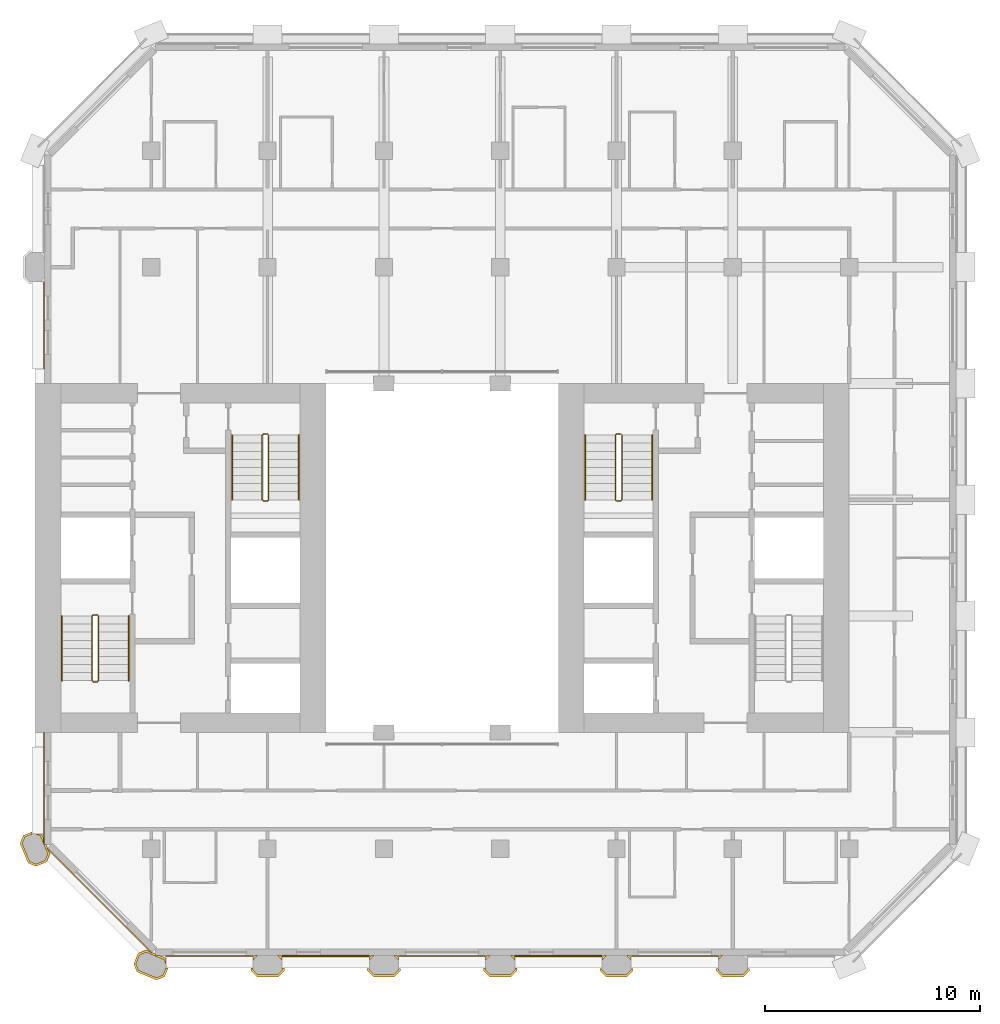
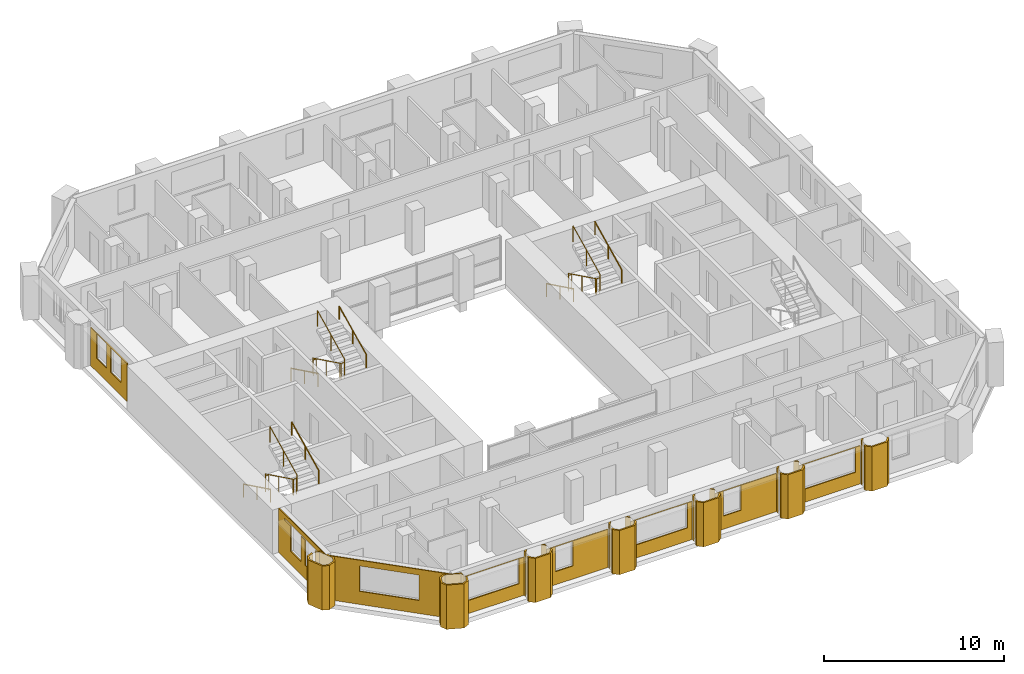
# One storey, part 10 of 12: 24 coverings, 9 railings.
"""IFC4 building model written with IfcOpenShell, lengths in metres."""

from ifc_helpers import new_model, si_unit, direction, frame, origin, origin_2d, place, context, subcontext, project, spatial, polyline, circle, outline, extrude, material, layer, layer_set, type_object, element, save


model = new_model("IFC4")

# Units and contexts
model_context = context("Model", 3, precision=1e-05, world=origin(), true_north=direction((0.0, 1.0)))
body_context = subcontext(model_context, "Body", "Model", "MODEL_VIEW")
ifc_project = project(units=[si_unit("LENGTHUNIT", "METRE"), si_unit("AREAUNIT", "SQUARE_METRE"), si_unit("VOLUMEUNIT", "CUBIC_METRE"), si_unit("PLANEANGLEUNIT", "RADIAN"), si_unit("MASSUNIT", "GRAM", prefix="KILO")], contexts=[model_context])

# Site, building, storey
site_placement = place(None, origin())
site = spatial("IfcSite", under=ifc_project, at=site_placement, CompositionType="ELEMENT")
building_placement = place(site_placement, origin())
building = spatial("IfcBuilding", under=site, at=building_placement, Name="Tabaq Tower and Sports Hall", CompositionType="ELEMENT")
storey_placement = place(building_placement, frame((0.0, 0.0, 193.89990234375)))
storey = spatial("IfcBuildingStorey", under=building, at=storey_placement, Name="L47", CompositionType="ELEMENT", Elevation=193.89990234375)

# Coverings
ifc_material_1 = material(Name="Precast concrete C60/75", Category="concrete")
ifc_layer_1 = layer(ifc_material_1, 0.10009765625)
ifc_layer_set_1 = layer_set([ifc_layer_1], Name="Column cladding 100")
covering_type_1 = type_object("IfcCoveringType", Name="Column cladding 100", PredefinedType="CLADDING", material=ifc_layer_set_1)
covering_1_placement = place(storey_placement, origin())
element("IfcCovering", 1, at=covering_1_placement, inside=storey, type_object=covering_type_1, Name="Column cladding L47 PC-2C-H2", PredefinedType="CLADDING", context=body_context, shape_type="SweptSolid", body=[
    extrude(outline(polyline([(5.450439453125, 9.982421875), (5.080078125, 10.1357421875), (4.7041015625, 11.04345703125), (4.857421875, 11.413818359375), (5.249755859375, 11.576171875), (5.249755859375, 11.474609375), (5.26416015625, 11.474609375), (4.93359375, 11.337646484375), (4.811767578125, 11.04345703125), (5.15625, 10.2119140625), (5.450439453125, 10.08984375), (5.866455078125, 10.26220703125), (5.98828125, 10.556396484375), (5.643798828125, 11.38818359375), (5.434814453125, 11.474609375), (5.694580078125, 11.474609375), (5.7197265625, 11.46435546875), (5.789794921875, 11.295654296875), (5.789794921875, 11.04296875), (5.849609375, 11.04296875), (5.849609375, 10.986083984375), (5.91796875, 10.986083984375), (5.9814453125, 10.83251953125), (5.9501953125, 10.801025390625), (6.026123046875, 10.72509765625), (6.095947265625, 10.556396484375), (5.9423828125, 10.186279296875), (5.450439453125, 9.982421875)])), origin(), (0.0, 0.0, 1.0), 3.0),
])
covering_2_placement = place(storey_placement, origin())
element("IfcCovering", 2, at=covering_2_placement, inside=storey, type_object=covering_type_1, Name="Column cladding L47 PC-3B-H2", PredefinedType="CLADDING", context=body_context, shape_type="SweptSolid", body=[
    extrude(outline(polyline([(11.413818359375, 4.857421875), (11.04345703125, 4.7041015625), (10.1357421875, 5.080078125), (9.982421875, 5.450439453125), (10.186279296875, 5.9423828125), (10.556396484375, 6.095947265625), (10.72509765625, 6.026123046875), (10.801025390625, 5.9501953125), (10.83251953125, 5.9814453125), (10.986083984375, 5.91796875), (10.986083984375, 5.849609375), (11.15087890625, 5.849609375), (11.46435546875, 5.7197265625), (11.474609375, 5.694580078125), (11.474609375, 5.434814453125), (11.38818359375, 5.643798828125), (10.556396484375, 5.98828125), (10.26220703125, 5.866455078125), (10.08984375, 5.450439453125), (10.2119140625, 5.15625), (11.04345703125, 4.811767578125), (11.337646484375, 4.93359375), (11.474609375, 5.26416015625), (11.474609375, 5.249755859375), (11.576171875, 5.249755859375), (11.413818359375, 4.857421875)])), origin(), (0.0, 0.0, 1.0), 3.0),
])
covering_3_placement = place(storey_placement, origin())
element("IfcCovering", 3, at=covering_3_placement, inside=storey, type_object=covering_type_1, Name="Column cladding L47 PC-4B-H2", PredefinedType="CLADDING", context=body_context, shape_type="SweptSolid", body=[
    extrude(outline(polyline([(15.42529296875, 5.249755859375), (15.524658203125, 5.249755859375), (15.524658203125, 5.1748046875), (15.749755859375, 4.94970703125), (16.650146484375, 4.94970703125), (16.875244140625, 5.1748046875), (16.875244140625, 5.249755859375), (16.974609375, 5.249755859375), (16.974609375, 5.1337890625), (16.69140625, 4.850341796875), (15.708740234375, 4.850341796875), (15.42529296875, 5.1337890625), (15.42529296875, 5.249755859375)])), origin(), (0.0, 0.0, 1.0), 3.0),
])
covering_4_placement = place(storey_placement, origin())
element("IfcCovering", 4, at=covering_4_placement, inside=storey, type_object=covering_type_1, Name="Column cladding L47 PC-4B-H2 2", PredefinedType="CLADDING", context=body_context, shape_type="SweptSolid", body=[
    extrude(outline(polyline([(16.874755859375, 5.766357421875), (16.874755859375, 5.625732421875), (16.650634765625, 5.849609375), (16.791259765625, 5.849609375), (16.874755859375, 5.766357421875)])), origin(), (0.0, 0.0, 1.0), 3.0),
])
covering_5_placement = place(storey_placement, origin())
element("IfcCovering", 5, at=covering_5_placement, inside=storey, type_object=covering_type_1, Name="Column cladding L47 PC-4B-H2 3", PredefinedType="CLADDING", context=body_context, shape_type="SweptSolid", body=[
    extrude(outline(polyline([(15.608642578125, 5.849609375), (15.749267578125, 5.849609375), (15.525390625, 5.625732421875), (15.525390625, 5.766357421875), (15.608642578125, 5.849609375)])), origin(), (0.0, 0.0, 1.0), 3.0),
])
covering_6_placement = place(storey_placement, origin())
element("IfcCovering", 6, at=covering_6_placement, inside=storey, type_object=covering_type_1, Name="Column cladding L47 PC-5B-H2", PredefinedType="CLADDING", context=body_context, shape_type="SweptSolid", body=[
    extrude(outline(polyline([(20.82568359375, 5.24951171875), (20.92431640625, 5.24951171875), (20.92431640625, 5.1748046875), (21.149658203125, 4.949462890625), (22.05029296875, 4.949462890625), (22.275634765625, 5.1748046875), (22.275634765625, 5.24951171875), (22.37451171875, 5.24951171875), (22.37451171875, 5.1337890625), (22.091064453125, 4.8505859375), (21.10888671875, 4.8505859375), (20.82568359375, 5.1337890625), (20.82568359375, 5.24951171875)])), origin(), (0.0, 0.0, 1.0), 3.0),
])
covering_7_placement = place(storey_placement, origin())
element("IfcCovering", 7, at=covering_7_placement, inside=storey, type_object=covering_type_1, Name="Column cladding L47 PC-5B-H2 2", PredefinedType="CLADDING", context=body_context, shape_type="SweptSolid", body=[
    extrude(outline(polyline([(22.274658203125, 5.766357421875), (22.274658203125, 5.625732421875), (22.05078125, 5.849609375), (22.19140625, 5.849609375), (22.274658203125, 5.766357421875)])), origin(), (0.0, 0.0, 1.0), 3.0),
])
covering_8_placement = place(storey_placement, origin())
element("IfcCovering", 8, at=covering_8_placement, inside=storey, type_object=covering_type_1, Name="Column cladding L47 PC-5B-H2 3", PredefinedType="CLADDING", context=body_context, shape_type="SweptSolid", body=[
    extrude(outline(polyline([(20.925537109375, 5.62646484375), (20.925537109375, 5.76611328125), (21.0087890625, 5.849365234375), (21.1484375, 5.849365234375), (20.925537109375, 5.62646484375)])), origin(), (0.0, 0.0, 1.0), 3.0),
])
covering_9_placement = place(storey_placement, origin())
element("IfcCovering", 9, at=covering_9_placement, inside=storey, type_object=covering_type_1, Name="Column cladding L47 PC-6B-H2", PredefinedType="CLADDING", context=body_context, shape_type="SweptSolid", body=[
    extrude(outline(polyline([(26.225341796875, 5.249755859375), (26.32470703125, 5.249755859375), (26.32470703125, 5.1748046875), (26.5498046875, 4.94970703125), (27.4501953125, 4.94970703125), (27.67529296875, 5.1748046875), (27.67529296875, 5.249755859375), (27.774658203125, 5.249755859375), (27.774658203125, 5.1337890625), (27.4912109375, 4.850341796875), (26.5087890625, 4.850341796875), (26.225341796875, 5.1337890625), (26.225341796875, 5.249755859375)])), origin(), (0.0, 0.0, 1.0), 3.0),
])
covering_10_placement = place(storey_placement, origin())
element("IfcCovering", 10, at=covering_10_placement, inside=storey, type_object=covering_type_1, Name="Column cladding L47 PC-6B-H2 2", PredefinedType="CLADDING", context=body_context, shape_type="SweptSolid", body=[
    extrude(outline(polyline([(26.40869140625, 5.849609375), (26.54931640625, 5.849609375), (26.3251953125, 5.625732421875), (26.3251953125, 5.766357421875), (26.40869140625, 5.849609375)])), origin(), (0.0, 0.0, 1.0), 3.0),
])
covering_11_placement = place(storey_placement, origin())
element("IfcCovering", 11, at=covering_11_placement, inside=storey, type_object=covering_type_1, Name="Column cladding L47 PC-6B-H2 3", PredefinedType="CLADDING", context=body_context, shape_type="SweptSolid", body=[
    extrude(outline(polyline([(27.6748046875, 5.766357421875), (27.6748046875, 5.625732421875), (27.45068359375, 5.849609375), (27.59130859375, 5.849609375), (27.6748046875, 5.766357421875)])), origin(), (0.0, 0.0, 1.0), 3.0),
])
covering_12_placement = place(storey_placement, origin())
element("IfcCovering", 12, at=covering_12_placement, inside=storey, type_object=covering_type_1, Name="Column cladding L47 PC-7B-H2", PredefinedType="CLADDING", context=body_context, shape_type="SweptSolid", body=[
    extrude(outline(polyline([(31.62548828125, 5.24951171875), (31.724365234375, 5.24951171875), (31.724365234375, 5.1748046875), (31.94970703125, 4.949462890625), (32.850341796875, 4.949462890625), (33.07568359375, 5.1748046875), (33.07568359375, 5.24951171875), (33.17431640625, 5.24951171875), (33.17431640625, 5.1337890625), (32.89111328125, 4.8505859375), (31.908935546875, 4.8505859375), (31.62548828125, 5.1337890625), (31.62548828125, 5.24951171875)])), origin(), (0.0, 0.0, 1.0), 3.0),
])
covering_13_placement = place(storey_placement, origin())
element("IfcCovering", 13, at=covering_13_placement, inside=storey, type_object=covering_type_1, Name="Column cladding L47 PC-7B-H2 2", PredefinedType="CLADDING", context=body_context, shape_type="SweptSolid", body=[
    extrude(outline(polyline([(31.80859375, 5.849609375), (31.94921875, 5.849609375), (31.725341796875, 5.625732421875), (31.725341796875, 5.766357421875), (31.80859375, 5.849609375)])), origin(), (0.0, 0.0, 1.0), 3.0),
])
covering_14_placement = place(storey_placement, origin())
element("IfcCovering", 14, at=covering_14_placement, inside=storey, type_object=covering_type_1, Name="Column cladding L47 PC-7B-H2 3", PredefinedType="CLADDING", context=body_context, shape_type="SweptSolid", body=[
    extrude(outline(polyline([(33.074462890625, 5.62646484375), (32.8515625, 5.849365234375), (32.9912109375, 5.849365234375), (33.074462890625, 5.76611328125), (33.074462890625, 5.62646484375)])), origin(), (0.0, 0.0, 1.0), 3.0),
])
covering_15_placement = place(storey_placement, origin())
element("IfcCovering", 15, at=covering_15_placement, inside=storey, type_object=covering_type_1, Name="Column cladding L47 PC-8B-H2", PredefinedType="CLADDING", context=body_context, shape_type="SweptSolid", body=[
    extrude(outline(polyline([(37.025634765625, 5.24951171875), (37.12451171875, 5.24951171875), (37.12451171875, 5.1748046875), (37.349853515625, 4.949462890625), (38.250244140625, 4.949462890625), (38.4755859375, 5.1748046875), (38.4755859375, 5.24951171875), (38.574462890625, 5.24951171875), (38.574462890625, 5.1337890625), (38.291259765625, 4.8505859375), (37.308837890625, 4.8505859375), (37.025634765625, 5.1337890625), (37.025634765625, 5.24951171875)])), origin(), (0.0, 0.0, 1.0), 3.0),
])
covering_16_placement = place(storey_placement, origin())
element("IfcCovering", 16, at=covering_16_placement, inside=storey, type_object=covering_type_1, Name="Column cladding L47 PC-8B-H2 2", PredefinedType="CLADDING", context=body_context, shape_type="SweptSolid", body=[
    extrude(outline(polyline([(37.208740234375, 5.849609375), (37.349365234375, 5.849609375), (37.125244140625, 5.625732421875), (37.125244140625, 5.766357421875), (37.208740234375, 5.849609375)])), origin(), (0.0, 0.0, 1.0), 3.0),
])

# Railings
ifc_material_2 = material(Name="Stainless steel", Category="steel")
railing_type_1 = type_object("IfcRailingType", Name="Stair guard", PredefinedType="GUARDRAIL", material=ifc_material_2)
railing_1_placement = place(storey_placement, frame((8.300048828125, 21.64990234375, 0.0)))
element("IfcRailing", 17, at=railing_1_placement, inside=storey, type_object=railing_type_1, Name="L47 ST1 stair guard 1", PredefinedType="GUARDRAIL", context=body_context, shape_type="SweptSolid", body=[
    extrude(circle(Radius=0.02392578125, at=origin_2d()), frame((0.0, 0.0, 1.076171875), z_axis=(-1.0, 0.0, 0.0), x_axis=(0.0, -1.0, 0.0)), (0.0, 0.0, 1.0), 0.199951171875),
    extrude(circle(Radius=0.02392578125, at=origin_2d()), frame((-0.199951171875, 0.0, 1.076171875), z_axis=(-0.254733673405, -0.25349107012, 0.933195066962), x_axis=(0.705375805398, -0.708833529934, 0.0)), (0.0, 0.0, 1.0), 0.196533203125),
    extrude(circle(Radius=0.02392578125, at=origin_2d()), frame((-0.25, -0.0498046875, 1.25927734375), z_axis=(0.0, -0.898368975038, 0.439241601728), x_axis=(1.0, 0.0, 0.0)), (0.0, 0.0, 1.0), 3.33935546875),
    extrude(circle(Radius=0.02392578125, at=origin_2d()), frame((-0.25, -3.0498046875, 2.72607421875), z_axis=(0.707106781187, -0.707106781187, 0.0), x_axis=(0.707106781187, 0.707106781187, 0.0)), (0.0, 0.0, 1.0), 0.07080078125),
    extrude(circle(Radius=0.02392578125, at=origin_2d()), frame((-0.199951171875, -3.099853515625, 2.72607421875), z_axis=(1.0, 0.0, 0.0), x_axis=(0.0, 1.0, 0.0)), (0.0, 0.0, 1.0), 0.199951171875),
    extrude(circle(Radius=0.02392578125, at=origin_2d()), frame((0.0, -3.099853515625, 2.72607421875), z_axis=(0.254653276557, 0.254653276557, 0.932900539971), x_axis=(-0.707106781187, 0.707106781187, 0.0)), (0.0, 0.0, 1.0), 0.196533203125),
    extrude(circle(Radius=0.02392578125, at=origin_2d()), frame((0.050048828125, -3.0498046875, 2.90966796875), z_axis=(0.0, 0.898397823093, 0.439182594671), x_axis=(-1.0, 0.0, 0.0)), (0.0, 0.0, 1.0), 3.33935546875),
    extrude(circle(Radius=0.02099609375, at=origin_2d()), origin(), (0.0, 0.0, 1.0), 1.052001953125),
    extrude(circle(Radius=0.02099609375, at=origin_2d()), frame((-0.199951171875, 0.0, 0.0)), (0.0, 0.0, 1.0), 1.052001953125),
    extrude(circle(Radius=0.02099609375, at=origin_2d()), frame((-0.25, -0.0498046875, 0.183349609375)), (0.0, 0.0, 1.0), 1.052001953125),
    extrude(circle(Radius=0.02099609375, at=origin_2d()), frame((-0.25, -1.5498046875, 0.916748046875)), (0.0, 0.0, 1.0), 1.052001953125),
    extrude(circle(Radius=0.02099609375, at=origin_2d()), frame((-0.25, -3.0498046875, 1.650146484375)), (0.0, 0.0, 1.0), 1.052001953125),
    extrude(circle(Radius=0.02099609375, at=origin_2d()), frame((-0.199951171875, -3.099853515625, 1.650146484375)), (0.0, 0.0, 1.0), 1.052001953125),
    extrude(circle(Radius=0.02099609375, at=origin_2d()), frame((0.0, -3.099853515625, 1.650146484375)), (0.0, 0.0, 1.0), 1.052001953125),
    extrude(circle(Radius=0.02099609375, at=origin_2d()), frame((0.050048828125, -3.0498046875, 1.83349609375)), (0.0, 0.0, 1.0), 1.052001953125),
    extrude(circle(Radius=0.02099609375, at=origin_2d()), frame((0.050048828125, -1.5498046875, 2.56689453125)), (0.0, 0.0, 1.0), 1.052001953125),
    extrude(circle(Radius=0.02099609375, at=origin_2d()), frame((0.050048828125, -0.0498046875, 3.300048828125)), (0.0, 0.0, 1.0), 1.052001953125),
])
railing_2_placement = place(storey_placement, frame((16.199951171875, 30.050048828125, 0.0)))
element("IfcRailing", 18, at=railing_2_placement, inside=storey, type_object=railing_type_1, Name="L47 ST2 stair guard 1", PredefinedType="GUARDRAIL", context=body_context, shape_type="SweptSolid", body=[
    extrude(circle(Radius=0.02392578125, at=origin_2d()), frame((0.0, 0.0, 1.076171875), z_axis=(-1.0, 0.0, 0.0), x_axis=(0.0, -1.0, 0.0)), (0.0, 0.0, 1.0), 0.199951171875),
    extrude(circle(Radius=0.02392578125, at=origin_2d()), frame((-0.199951171875, 0.0, 1.076171875), z_axis=(-0.254653276557, -0.254653276557, 0.932900539971), x_axis=(0.707106781187, -0.707106781187, 0.0)), (0.0, 0.0, 1.0), 0.196533203125),
    extrude(circle(Radius=0.02392578125, at=origin_2d()), frame((-0.25, -0.050048828125, 1.25927734375), z_axis=(0.0, -0.898368975038, 0.439241601728), x_axis=(1.0, 0.0, 0.0)), (0.0, 0.0, 1.0), 3.33935546875),
    extrude(circle(Radius=0.02392578125, at=origin_2d()), frame((-0.25, -3.050048828125, 2.72607421875), z_axis=(0.707106781187, -0.707106781187, 0.0), x_axis=(0.707106781187, 0.707106781187, 0.0)), (0.0, 0.0, 1.0), 0.07080078125),
    extrude(circle(Radius=0.02392578125, at=origin_2d()), frame((-0.199951171875, -3.10009765625, 2.72607421875), z_axis=(1.0, 0.0, 0.0), x_axis=(0.0, 1.0, 0.0)), (0.0, 0.0, 1.0), 0.199951171875),
    extrude(circle(Radius=0.02392578125, at=origin_2d()), frame((0.0, -3.10009765625, 2.72607421875), z_axis=(0.254653276557, 0.254653276557, 0.932900539971), x_axis=(-0.707106781187, 0.707106781187, 0.0)), (0.0, 0.0, 1.0), 0.196533203125),
    extrude(circle(Radius=0.02392578125, at=origin_2d()), frame((0.050048828125, -3.050048828125, 2.90966796875), z_axis=(0.0, 0.898397823093, 0.439182594671), x_axis=(-1.0, 0.0, 0.0)), (0.0, 0.0, 1.0), 3.33935546875),
    extrude(circle(Radius=0.02099609375, at=origin_2d()), origin(), (0.0, 0.0, 1.0), 1.052001953125),
    extrude(circle(Radius=0.02099609375, at=origin_2d()), frame((-0.199951171875, 0.0, 0.0)), (0.0, 0.0, 1.0), 1.052001953125),
    extrude(circle(Radius=0.02099609375, at=origin_2d()), frame((-0.25, -0.050048828125, 0.183349609375)), (0.0, 0.0, 1.0), 1.052001953125),
    extrude(circle(Radius=0.02099609375, at=origin_2d()), frame((-0.25, -1.550048828125, 0.916748046875)), (0.0, 0.0, 1.0), 1.052001953125),
    extrude(circle(Radius=0.02099609375, at=origin_2d()), frame((-0.25, -3.050048828125, 1.650146484375)), (0.0, 0.0, 1.0), 1.052001953125),
    extrude(circle(Radius=0.02099609375, at=origin_2d()), frame((-0.199951171875, -3.10009765625, 1.650146484375)), (0.0, 0.0, 1.0), 1.052001953125),
    extrude(circle(Radius=0.02099609375, at=origin_2d()), frame((0.0, -3.10009765625, 1.650146484375)), (0.0, 0.0, 1.0), 1.052001953125),
    extrude(circle(Radius=0.02099609375, at=origin_2d()), frame((0.050048828125, -3.050048828125, 1.83349609375)), (0.0, 0.0, 1.0), 1.052001953125),
    extrude(circle(Radius=0.02099609375, at=origin_2d()), frame((0.050048828125, -1.550048828125, 2.56689453125)), (0.0, 0.0, 1.0), 1.052001953125),
    extrude(circle(Radius=0.02099609375, at=origin_2d()), frame((0.050048828125, -0.050048828125, 3.300048828125)), (0.0, 0.0, 1.0), 1.052001953125),
])
railing_3_placement = place(storey_placement, frame((32.60009765625, 30.050048828125, 0.0)))
element("IfcRailing", 19, at=railing_3_placement, inside=storey, type_object=railing_type_1, Name="L47 ST4 stair guard 1", PredefinedType="GUARDRAIL", context=body_context, shape_type="SweptSolid", body=[
    extrude(circle(Radius=0.02392578125, at=origin_2d()), frame((0.0, 0.0, 1.076171875), z_axis=(-1.0, 0.0, 0.0), x_axis=(0.0, -1.0, 0.0)), (0.0, 0.0, 1.0), 0.2001953125),
    extrude(circle(Radius=0.02392578125, at=origin_2d()), frame((-0.2001953125, 0.0, 1.076171875), z_axis=(-0.25349107012, -0.254733673405, 0.933195066962), x_axis=(0.708833529934, -0.705375805398, 0.0)), (0.0, 0.0, 1.0), 0.196533203125),
    extrude(circle(Radius=0.02392578125, at=origin_2d()), frame((-0.25, -0.050048828125, 1.25927734375), z_axis=(0.0, -0.898368975038, 0.439241601728), x_axis=(1.0, 0.0, 0.0)), (0.0, 0.0, 1.0), 3.33935546875),
    extrude(circle(Radius=0.02392578125, at=origin_2d()), frame((-0.25, -3.050048828125, 2.72607421875), z_axis=(0.705375805398, -0.708833529934, 0.0), x_axis=(0.708833529934, 0.705375805398, 0.0)), (0.0, 0.0, 1.0), 0.070556640625),
    extrude(circle(Radius=0.02392578125, at=origin_2d()), frame((-0.2001953125, -3.10009765625, 2.72607421875), z_axis=(1.0, 0.0, 0.0), x_axis=(0.0, 1.0, 0.0)), (0.0, 0.0, 1.0), 0.2001953125),
    extrude(circle(Radius=0.02392578125, at=origin_2d()), frame((0.0, -3.10009765625, 2.72607421875), z_axis=(0.25349107012, 0.254733673405, 0.933195066962), x_axis=(-0.708833529934, 0.705375805398, 0.0)), (0.0, 0.0, 1.0), 0.196533203125),
    extrude(circle(Radius=0.02392578125, at=origin_2d()), frame((0.0498046875, -3.050048828125, 2.90966796875), z_axis=(0.0, 0.898397823093, 0.439182594671), x_axis=(-1.0, 0.0, 0.0)), (0.0, 0.0, 1.0), 3.33935546875),
    extrude(circle(Radius=0.02099609375, at=origin_2d()), origin(), (0.0, 0.0, 1.0), 1.052001953125),
    extrude(circle(Radius=0.02099609375, at=origin_2d()), frame((-0.2001953125, 0.0, 0.0)), (0.0, 0.0, 1.0), 1.052001953125),
    extrude(circle(Radius=0.02099609375, at=origin_2d()), frame((-0.25, -0.050048828125, 0.183349609375)), (0.0, 0.0, 1.0), 1.052001953125),
    extrude(circle(Radius=0.02099609375, at=origin_2d()), frame((-0.25, -1.550048828125, 0.916748046875)), (0.0, 0.0, 1.0), 1.052001953125),
    extrude(circle(Radius=0.02099609375, at=origin_2d()), frame((-0.25, -3.050048828125, 1.650146484375)), (0.0, 0.0, 1.0), 1.052001953125),
    extrude(circle(Radius=0.02099609375, at=origin_2d()), frame((-0.2001953125, -3.10009765625, 1.650146484375)), (0.0, 0.0, 1.0), 1.052001953125),
    extrude(circle(Radius=0.02099609375, at=origin_2d()), frame((0.0, -3.10009765625, 1.650146484375)), (0.0, 0.0, 1.0), 1.052001953125),
    extrude(circle(Radius=0.02099609375, at=origin_2d()), frame((0.0498046875, -3.050048828125, 1.83349609375)), (0.0, 0.0, 1.0), 1.052001953125),
    extrude(circle(Radius=0.02099609375, at=origin_2d()), frame((0.0498046875, -1.550048828125, 2.56689453125)), (0.0, 0.0, 1.0), 1.052001953125),
    extrude(circle(Radius=0.02099609375, at=origin_2d()), frame((0.0498046875, -0.050048828125, 3.300048828125)), (0.0, 0.0, 1.0), 1.052001953125),
])
ifc_material_3 = material(Name="Stainless steel", Category="steel")
railing_type_2 = type_object("IfcRailingType", Name="Stair handrail", PredefinedType="HANDRAIL", material=ifc_material_3)
railing_4_placement = place(storey_placement, frame((6.64990234375, 21.60009765625, 0.183349609375)))
element("IfcRailing", 20, at=railing_4_placement, inside=storey, type_object=railing_type_2, Name="L47 ST1 stair handrail 1", PredefinedType="HANDRAIL", context=body_context, shape_type="SweptSolid", body=[
    extrude(circle(Radius=0.02392578125, at=origin_2d()), frame((0.0, 0.0, 0.8759765625), z_axis=(0.0, -0.898368975038, 0.439241601728), x_axis=(1.0, 0.0, 0.0)), (0.0, 0.0, 1.0), 3.33935546875),
    extrude(circle(Radius=0.02099609375, at=origin_2d()), origin(), (0.0, 0.0, 1.0), 0.851806640625),
    extrude(circle(Radius=0.02099609375, at=origin_2d()), frame((0.0, -1.5, 0.7333984375)), (0.0, 0.0, 1.0), 0.851806640625),
    extrude(circle(Radius=0.02099609375, at=origin_2d()), frame((0.0, -3.0, 1.466796875)), (0.0, 0.0, 1.0), 0.851806640625),
])
railing_5_placement = place(storey_placement, frame((9.75, 18.60009765625, 1.83349609375)))
element("IfcRailing", 21, at=railing_5_placement, inside=storey, type_object=railing_type_2, Name="L47 ST1 stair handrail 2", PredefinedType="HANDRAIL", context=body_context, shape_type="SweptSolid", body=[
    extrude(circle(Radius=0.02392578125, at=origin_2d()), frame((0.0, 0.0, 0.8759765625), z_axis=(0.0, 0.898397823093, 0.439182594671), x_axis=(-1.0, 0.0, 0.0)), (0.0, 0.0, 1.0), 3.33935546875),
    extrude(circle(Radius=0.02099609375, at=origin_2d()), origin(), (0.0, 0.0, 1.0), 0.851806640625),
    extrude(circle(Radius=0.02099609375, at=origin_2d()), frame((0.0, 1.5, 0.7333984375)), (0.0, 0.0, 1.0), 0.851806640625),
    extrude(circle(Radius=0.02099609375, at=origin_2d()), frame((0.0, 3.0, 1.466552734375)), (0.0, 0.0, 1.0), 0.851806640625),
])
railing_6_placement = place(storey_placement, frame((14.550048828125, 30.0, 0.183349609375)))
element("IfcRailing", 22, at=railing_6_placement, inside=storey, type_object=railing_type_2, Name="L47 ST2 stair handrail 1", PredefinedType="HANDRAIL", context=body_context, shape_type="SweptSolid", body=[
    extrude(circle(Radius=0.02392578125, at=origin_2d()), frame((0.0, 0.0, 0.8759765625), z_axis=(0.0, -0.898368975038, 0.439241601728), x_axis=(1.0, 0.0, 0.0)), (0.0, 0.0, 1.0), 3.33935546875),
    extrude(circle(Radius=0.02099609375, at=origin_2d()), origin(), (0.0, 0.0, 1.0), 0.851806640625),
    extrude(circle(Radius=0.02099609375, at=origin_2d()), frame((0.0, -1.5, 0.7333984375)), (0.0, 0.0, 1.0), 0.851806640625),
    extrude(circle(Radius=0.02099609375, at=origin_2d()), frame((0.0, -3.0, 1.466796875)), (0.0, 0.0, 1.0), 0.851806640625),
])
railing_7_placement = place(storey_placement, frame((17.64990234375, 27.0, 1.83349609375)))
element("IfcRailing", 23, at=railing_7_placement, inside=storey, type_object=railing_type_2, Name="L47 ST2 stair handrail 2", PredefinedType="HANDRAIL", context=body_context, shape_type="SweptSolid", body=[
    extrude(circle(Radius=0.02392578125, at=origin_2d()), frame((0.0, 0.0, 0.8759765625), z_axis=(0.0, 0.898397823093, 0.439182594671), x_axis=(-1.0, 0.0, 0.0)), (0.0, 0.0, 1.0), 3.33935546875),
    extrude(circle(Radius=0.02099609375, at=origin_2d()), origin(), (0.0, 0.0, 1.0), 0.851806640625),
    extrude(circle(Radius=0.02099609375, at=origin_2d()), frame((0.0, 1.5, 0.7333984375)), (0.0, 0.0, 1.0), 0.851806640625),
    extrude(circle(Radius=0.02099609375, at=origin_2d()), frame((0.0, 3.0, 1.466552734375)), (0.0, 0.0, 1.0), 0.851806640625),
])
railing_8_placement = place(storey_placement, frame((30.949951171875, 30.0, 0.183349609375)))
element("IfcRailing", 24, at=railing_8_placement, inside=storey, type_object=railing_type_2, Name="L47 ST4 stair handrail 1", PredefinedType="HANDRAIL", context=body_context, shape_type="SweptSolid", body=[
    extrude(circle(Radius=0.02392578125, at=origin_2d()), frame((0.0, 0.0, 0.8759765625), z_axis=(0.0, -0.898368975038, 0.439241601728), x_axis=(1.0, 0.0, 0.0)), (0.0, 0.0, 1.0), 3.33935546875),
    extrude(circle(Radius=0.02099609375, at=origin_2d()), origin(), (0.0, 0.0, 1.0), 0.851806640625),
    extrude(circle(Radius=0.02099609375, at=origin_2d()), frame((0.0, -1.5, 0.7333984375)), (0.0, 0.0, 1.0), 0.851806640625),
    extrude(circle(Radius=0.02099609375, at=origin_2d()), frame((0.0, -3.0, 1.466796875)), (0.0, 0.0, 1.0), 0.851806640625),
])
railing_9_placement = place(storey_placement, frame((34.050048828125, 27.0, 1.83349609375)))
element("IfcRailing", 25, at=railing_9_placement, inside=storey, type_object=railing_type_2, Name="L47 ST4 stair handrail 2", PredefinedType="HANDRAIL", context=body_context, shape_type="SweptSolid", body=[
    extrude(circle(Radius=0.02392578125, at=origin_2d()), frame((0.0, 0.0, 0.8759765625), z_axis=(0.0, 0.898397823093, 0.439182594671), x_axis=(-1.0, 0.0, 0.0)), (0.0, 0.0, 1.0), 3.33935546875),
    extrude(circle(Radius=0.02099609375, at=origin_2d()), origin(), (0.0, 0.0, 1.0), 0.851806640625),
    extrude(circle(Radius=0.02099609375, at=origin_2d()), frame((0.0, 1.5, 0.7333984375)), (0.0, 0.0, 1.0), 0.851806640625),
    extrude(circle(Radius=0.02099609375, at=origin_2d()), frame((0.0, 3.0, 1.466552734375)), (0.0, 0.0, 1.0), 0.851806640625),
])

# Coverings
ifc_material_4 = material(Name="Precast concrete C60/75", Category="concrete")
ifc_layer_2 = layer(ifc_material_4, 0.06005859375)
ifc_layer_set_2 = layer_set([ifc_layer_2], Name="White precast cladding panel 60 C60/75")
covering_type_2 = type_object("IfcCoveringType", Name="White precast cladding panel 60 C60/75", PredefinedType="CLADDING", material=ifc_layer_set_2)
covering_17_placement = place(storey_placement, frame((11.465087890625, 5.820068359375, 0.0), z_axis=(0.0, 0.0, 1.0), x_axis=(1.0, 0.0, 0.0)))
element("IfcCovering", 26, at=covering_17_placement, inside=storey, type_object=covering_type_2, Name="White precast cladding panel L47 wall00", PredefinedType="CLADDING", context=body_context, shape_type="SweptSolid", body=[
    extrude(outline(polyline([(0.0, 0.0), (4.0498046875, 0.0), (4.0498046875, 2.590087890625), (0.0, 2.590087890625), (0.0, 0.0)]), holes=[polyline([(3.7451171875, 0.89013671875), (0.324951171875, 0.89013671875), (0.324951171875, 2.56005859375), (3.7451171875, 2.56005859375), (3.7451171875, 0.89013671875)])]), frame((0.0, 0.030029296875, 0.0), z_axis=(0.0, -1.0, 0.0), x_axis=(1.0, 0.0, 0.0)), (0.0, 0.0, 1.0), 0.06005859375),
])
covering_18_placement = place(storey_placement, frame((16.885009765625, 5.820068359375, 0.0), z_axis=(0.0, 0.0, 1.0), x_axis=(1.0, 0.0, 0.0)))
element("IfcCovering", 27, at=covering_18_placement, inside=storey, type_object=covering_type_2, Name="White precast cladding panel L47 wall00 2", PredefinedType="CLADDING", context=body_context, shape_type="SweptSolid", body=[
    extrude(outline(polyline([(0.0, 0.0), (4.030029296875, 0.0), (4.030029296875, 2.590087890625), (0.0, 2.590087890625), (0.0, 0.0)]), holes=[polyline([(1.77490234375, 0.89013671875), (0.655029296875, 0.89013671875), (0.655029296875, 2.56005859375), (1.77490234375, 2.56005859375), (1.77490234375, 0.89013671875)])]), frame((0.0, 0.030029296875, 0.0), z_axis=(0.0, -1.0, 0.0), x_axis=(1.0, 0.0, 0.0)), (0.0, 0.0, 1.0), 0.06005859375),
])
covering_19_placement = place(storey_placement, frame((22.284912109375, 5.820068359375, 0.0), z_axis=(0.0, 0.0, 1.0), x_axis=(1.0, 0.0, 0.0)))
element("IfcCovering", 28, at=covering_19_placement, inside=storey, type_object=covering_type_2, Name="White precast cladding panel L47 wall00 3", PredefinedType="CLADDING", context=body_context, shape_type="SweptSolid", body=[
    extrude(outline(polyline([(0.0, 0.0), (4.030029296875, 0.0), (4.030029296875, 2.590087890625), (0.0, 2.590087890625), (0.0, 0.0)]), holes=[polyline([(3.72509765625, 0.89013671875), (0.304931640625, 0.89013671875), (0.304931640625, 2.56005859375), (3.72509765625, 2.56005859375), (3.72509765625, 0.89013671875)])]), frame((0.0, 0.030029296875, 0.0), z_axis=(0.0, -1.0, 0.0), x_axis=(1.0, 0.0, 0.0)), (0.0, 0.0, 1.0), 0.06005859375),
])
covering_20_placement = place(storey_placement, frame((27.68505859375, 5.820068359375, 0.0), z_axis=(0.0, 0.0, 1.0), x_axis=(1.0, 0.0, 0.0)))
element("IfcCovering", 29, at=covering_20_placement, inside=storey, type_object=covering_type_2, Name="White precast cladding panel L47 wall00 4", PredefinedType="CLADDING", context=body_context, shape_type="SweptSolid", body=[
    extrude(outline(polyline([(0.0, 0.0), (4.030029296875, 0.0), (4.030029296875, 2.590087890625), (0.0, 2.590087890625), (0.0, 0.0)]), holes=[polyline([(1.77490234375, 0.89013671875), (0.655029296875, 0.89013671875), (0.655029296875, 2.56005859375), (1.77490234375, 2.56005859375), (1.77490234375, 0.89013671875)])]), frame((0.0, 0.030029296875, 0.0), z_axis=(0.0, -1.0, 0.0), x_axis=(1.0, 0.0, 0.0)), (0.0, 0.0, 1.0), 0.06005859375),
])
covering_21_placement = place(storey_placement, frame((33.0849609375, 5.820068359375, 0.0), z_axis=(0.0, 0.0, 1.0), x_axis=(1.0, 0.0, 0.0)))
element("IfcCovering", 30, at=covering_21_placement, inside=storey, type_object=covering_type_2, Name="White precast cladding panel L47 wall00 5", PredefinedType="CLADDING", context=body_context, shape_type="SweptSolid", body=[
    extrude(outline(polyline([(0.0, 0.0), (4.030029296875, 0.0), (4.030029296875, 2.590087890625), (0.0, 2.590087890625), (0.0, 0.0)]), holes=[polyline([(3.72509765625, 0.89013671875), (0.304931640625, 0.89013671875), (0.304931640625, 2.56005859375), (3.72509765625, 2.56005859375), (3.72509765625, 0.89013671875)])]), frame((0.0, 0.030029296875, 0.0), z_axis=(0.0, -1.0, 0.0), x_axis=(1.0, 0.0, 0.0)), (0.0, 0.0, 1.0), 0.06005859375),
])
covering_22_placement = place(storey_placement, frame((5.820068359375, 37.114990234375, 0.0), z_axis=(0.0, 0.0, 1.0), x_axis=(0.0, -1.0, 0.0)))
element("IfcCovering", 31, at=covering_22_placement, inside=storey, type_object=covering_type_2, Name="White precast cladding panel L47 wall06 2", PredefinedType="CLADDING", context=body_context, shape_type="SweptSolid", body=[
    extrude(outline(polyline([(0.0, 0.0), (4.050048828125, 0.0), (4.050048828125, 2.590087890625), (0.0, 2.590087890625), (0.0, 0.0)]), holes=[polyline([(0.655029296875, 0.89013671875), (0.655029296875, 2.56005859375), (1.77490234375, 2.56005859375), (1.77490234375, 0.89013671875), (0.655029296875, 0.89013671875)]), polyline([(2.2548828125, 0.89013671875), (2.2548828125, 2.56005859375), (3.375, 2.56005859375), (3.375, 0.89013671875), (2.2548828125, 0.89013671875)])]), frame((0.0, 0.030029296875, 0.0), z_axis=(0.0, -1.0, 0.0), x_axis=(1.0, 0.0, 0.0)), (0.0, 0.0, 1.0), 0.06005859375),
])
covering_23_placement = place(storey_placement, frame((5.820068359375, 16.199951171875, 0.0), z_axis=(0.0, 0.0, 1.0), x_axis=(0.0, -1.0, 0.0)))
element("IfcCovering", 32, at=covering_23_placement, inside=storey, type_object=covering_type_2, Name="White precast cladding panel L47 wall06-1", PredefinedType="CLADDING", context=body_context, shape_type="SweptSolid", body=[
    extrude(outline(polyline([(0.0, 0.0), (5.15673828125, 0.0), (5.15673828125, 3.0), (0.0, 3.0), (0.0, 0.0)]), holes=[polyline([(1.340087890625, 2.590087890625), (0.6650390625, 2.590087890625), (0.6650390625, 2.710205078125), (4.735107421875, 2.710205078125), (4.735107421875, 2.590087890625), (4.06005859375, 2.590087890625), (4.06005859375, 0.89013671875), (2.93994140625, 0.89013671875), (2.93994140625, 2.590087890625), (2.4599609375, 2.590087890625), (2.4599609375, 0.89013671875), (1.340087890625, 0.89013671875), (1.340087890625, 2.590087890625)])]), frame((0.0, 0.030029296875, 0.0), z_axis=(0.0, -1.0, 0.0), x_axis=(1.0, 0.0, 0.0)), (0.0, 0.0, 1.0), 0.06005859375),
])
covering_24_placement = place(storey_placement, frame((5.9716796875, 10.822265625, 0.0), z_axis=(0.0, 0.0, 1.0), x_axis=(0.707106781187, -0.707106781187, 0.0)))
element("IfcCovering", 33, at=covering_24_placement, inside=storey, type_object=covering_type_2, Name="White precast cladding panel L47 wall07", PredefinedType="CLADDING", context=body_context, shape_type="SweptSolid", body=[
    extrude(outline(polyline([(0.0, 0.0), (6.85986328125, 0.0), (6.85986328125, 3.0), (0.0, 3.0), (0.0, 0.0)]), holes=[polyline([(1.7197265625, 0.89013671875), (1.7197265625, 2.610107421875), (5.139892578125, 2.610107421875), (5.139892578125, 0.89013671875), (1.7197265625, 0.89013671875)])]), frame((0.0, 0.030029296875, 0.0), z_axis=(0.0, -1.0, 0.0), x_axis=(1.0, 0.0, 0.0)), (0.0, 0.0, 1.0), 0.06005859375),
])

save(model, "model.ifc")
